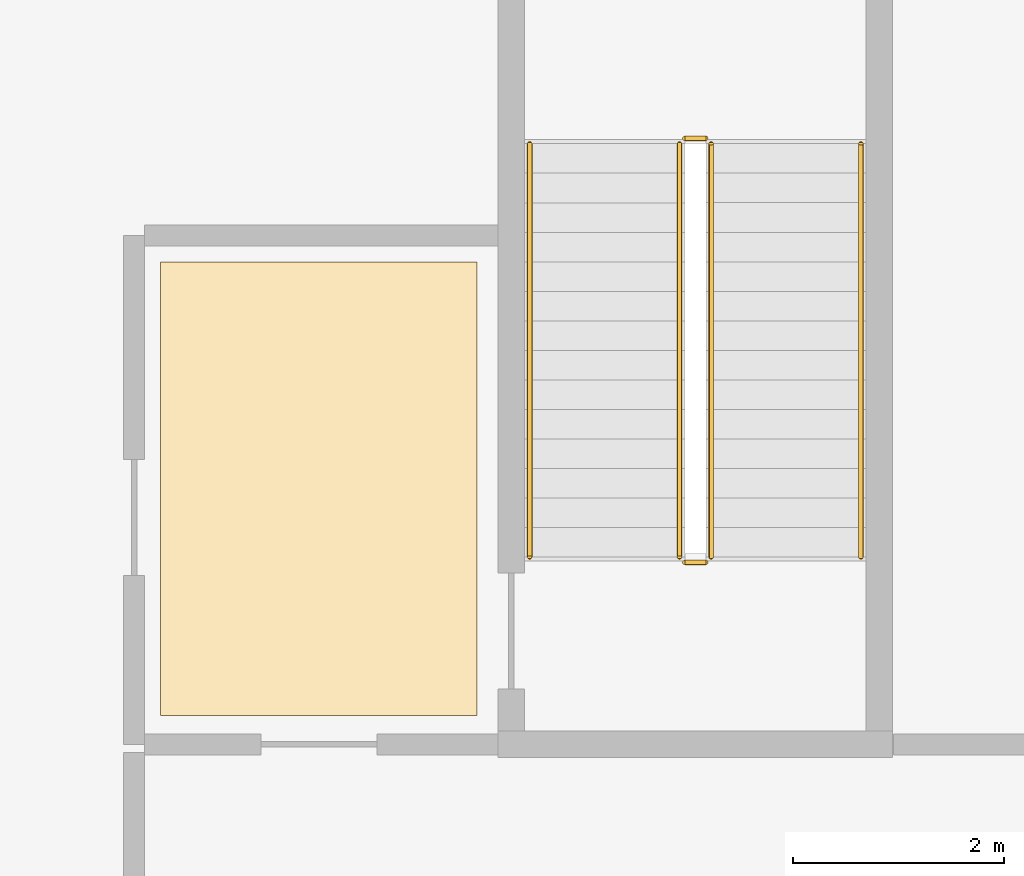
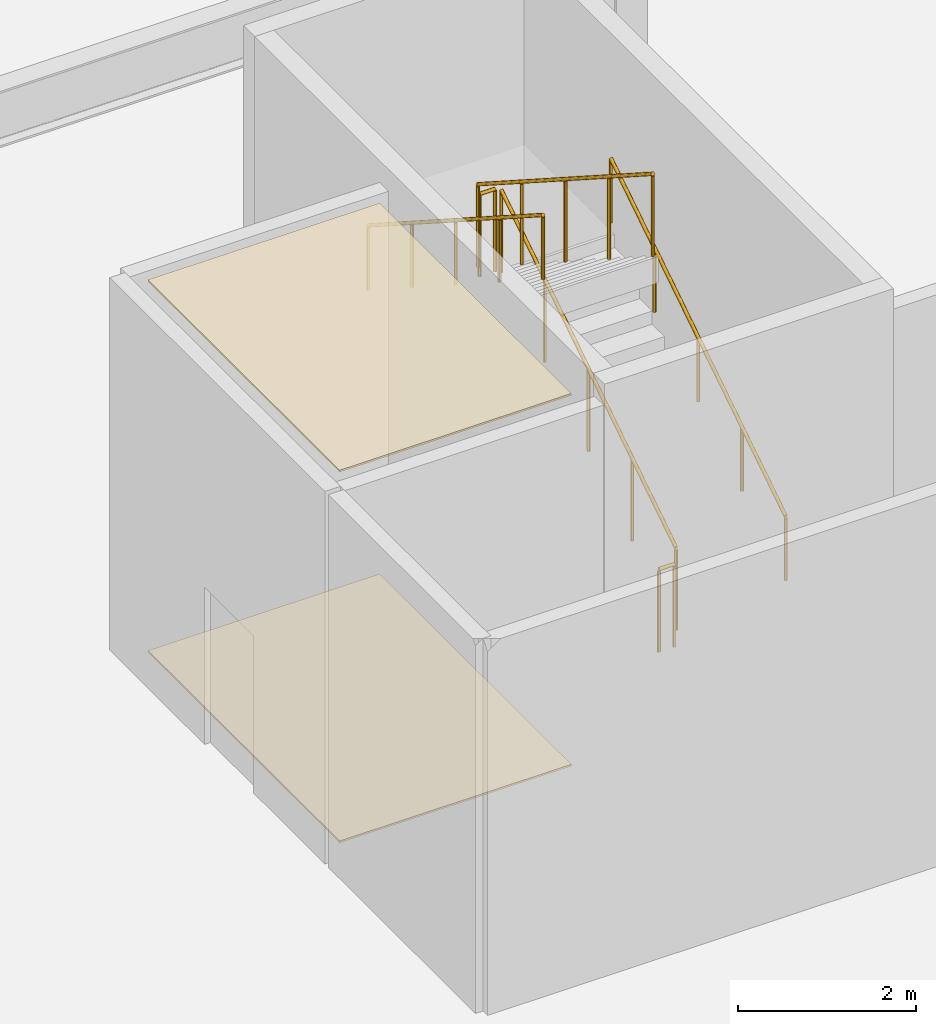
# One storey, part 36 of 46: 6 railings, 2 coverings.
"""IFC4 building model written with IfcOpenShell, lengths in metres."""

from ifc_helpers import new_model, si_unit, direction, frame, origin, origin_2d, place, context, subcontext, project, spatial, polyline, circle, outline, extrude, material, layer, layer_set, type_object, element, save


model = new_model("IFC4")

# Units and contexts
model_context = context("Model", 3, precision=1e-05, world=origin(), true_north=direction((0.0, 1.0)))
body_context = subcontext(model_context, "Body", "Model", "MODEL_VIEW")
ifc_project = project(units=[si_unit("LENGTHUNIT", "METRE"), si_unit("AREAUNIT", "SQUARE_METRE"), si_unit("VOLUMEUNIT", "CUBIC_METRE"), si_unit("PLANEANGLEUNIT", "RADIAN"), si_unit("MASSUNIT", "GRAM", prefix="KILO")], contexts=[model_context])

# Site, building, storey
site_placement = place(None, origin())
site = spatial("IfcSite", under=ifc_project, at=site_placement, CompositionType="ELEMENT")
building_placement = place(site_placement, origin())
building = spatial("IfcBuilding", under=site, at=building_placement, Name="Korimba Cascade Residences", CompositionType="ELEMENT")
storey_placement = place(building_placement, origin())
storey = spatial("IfcBuildingStorey", under=building, at=storey_placement, Name="L00", CompositionType="ELEMENT", Elevation=0.0)

# Coverings
ifc_material_1 = material(Name="Perforated Acoustic Gypsum Ceiling", Category="gypsum")
ifc_layer_1 = layer(ifc_material_1, 0.02490234375)
ifc_layer_set_1 = layer_set([ifc_layer_1], Name="Perforated Acoustic Gypsum Ceiling")
covering_type_1 = type_object("IfcCoveringType", Name="COV-CLG-AC", PredefinedType="CEILING", material=ifc_layer_set_1)
covering_1_placement = place(storey_placement, frame((0.0, 0.0, 5.074951171875)))
element("IfcCovering", 1, at=covering_1_placement, inside=storey, type_object=covering_type_1, Name="L00 Suspended Acoustic Ceiling L00-PL6", PredefinedType="CEILING", context=body_context, shape_type="SweptSolid", body=[
    extrude(outline(polyline([(131.050048828125, -12.64990234375), (134.050048828125, -12.64990234375), (134.050048828125, -8.35009765625), (131.050048828125, -8.35009765625), (131.050048828125, -12.64990234375)])), origin(), (0.0, 0.0, 1.0), 0.025146484375),
])
ifc_material_2 = material(Name="Honed Travertine Stone Flooring", Category="masonry")
ifc_layer_2 = layer(ifc_material_2, 0.02490234375)
ifc_layer_set_2 = layer_set([ifc_layer_2], Name="Honed Travertine Stone Flooring")
covering_type_2 = type_object("IfcCoveringType", Name="COV-FLR-STN", PredefinedType="FLOORING", material=ifc_layer_set_2)
covering_2_placement = place(storey_placement, origin())
element("IfcCovering", 2, at=covering_2_placement, inside=storey, type_object=covering_type_2, Name="L00 Honed Travertine Stone Flooring L00-PL6", PredefinedType="FLOORING", context=body_context, shape_type="SweptSolid", body=[
    extrude(outline(polyline([(131.050048828125, -12.64990234375), (134.050048828125, -12.64990234375), (134.050048828125, -8.35009765625), (131.050048828125, -8.35009765625), (131.050048828125, -12.64990234375)])), origin(), (0.0, 0.0, 1.0), 0.02490234375),
])

# Railings
ifc_material_3 = material(Name="Painted Steel Stairwell Guardrail", Category="steel")
railing_type_1 = type_object("IfcRailingType", Name="RLG-ST-GD1150", PredefinedType="GUARDRAIL", material=ifc_material_3)
railing_1_placement = place(storey_placement, frame((136.27001953125, -11.14990234375, 0.179931640625)))
element("IfcRailing", 3, at=railing_1_placement, inside=storey, type_object=railing_type_1, Name="L00 ST-P6 stair guard 1", PredefinedType="GUARDRAIL", context=body_context, shape_type="SweptSolid", body=[
    extrude(circle(Radius=0.02392578125, at=origin_2d()), frame((0.0, 0.0, 1.1259765625), z_axis=(0.0, 0.841171666519, 0.540768182723), x_axis=(-1.0, 0.0, 0.0)), (0.0, 0.0, 1.0), 4.66015625),
    extrude(circle(Radius=0.02099609375, at=origin_2d()), origin(), (0.0, 0.0, 1.0), 1.101806640625),
    extrude(circle(Radius=0.02099609375, at=origin_2d()), frame((0.0, 0.97998046875, 0.6298828125)), (0.0, 0.0, 1.0), 1.101806640625),
    extrude(circle(Radius=0.02099609375, at=origin_2d()), frame((0.0, 1.9599609375, 1.260009765625)), (0.0, 0.0, 1.0), 1.101806640625),
    extrude(circle(Radius=0.02099609375, at=origin_2d()), frame((0.0, 2.93994140625, 1.89013671875)), (0.0, 0.0, 1.0), 1.101806640625),
    extrude(circle(Radius=0.02099609375, at=origin_2d()), frame((0.0, 3.919921875, 2.52001953125)), (0.0, 0.0, 1.0), 1.101806640625),
])
railing_2_placement = place(storey_placement, frame((136.219970703125, -7.179931640625, 2.699951171875)))
element("IfcRailing", 4, at=railing_2_placement, inside=storey, type_object=railing_type_1, Name="L00 ST-P6 stair guard 2", PredefinedType="GUARDRAIL", context=body_context, shape_type="SweptSolid", body=[
    extrude(circle(Radius=0.02392578125, at=origin_2d()), frame((0.0, 0.0, 1.1259765625), z_axis=(-1.0, 0.0, 0.0), x_axis=(0.0, -1.0, 0.0)), (0.0, 0.0, 1.0), 0.199951171875),
    extrude(circle(Radius=0.02099609375, at=origin_2d()), origin(), (0.0, 0.0, 1.0), 1.101806640625),
    extrude(circle(Radius=0.02099609375, at=origin_2d()), frame((-0.199951171875, 0.0, 0.0)), (0.0, 0.0, 1.0), 1.101806640625),
])
railing_3_placement = place(storey_placement, frame((135.969970703125, -7.22998046875, 2.8798828125)))
element("IfcRailing", 5, at=railing_3_placement, inside=storey, type_object=railing_type_1, Name="L00 ST-P6 stair guard 3", PredefinedType="GUARDRAIL", context=body_context, shape_type="SweptSolid", body=[
    extrude(circle(Radius=0.02392578125, at=origin_2d()), frame((0.0, 0.0, 1.1259765625), z_axis=(0.0, -0.841171666519, 0.540768182723), x_axis=(1.0, 0.0, 0.0)), (0.0, 0.0, 1.0), 4.66015625),
    extrude(circle(Radius=0.02099609375, at=origin_2d()), origin(), (0.0, 0.0, 1.0), 1.101806640625),
    extrude(circle(Radius=0.02099609375, at=origin_2d()), frame((0.0, -0.97998046875, 0.6298828125)), (0.0, 0.0, 1.0), 1.101806640625),
    extrude(circle(Radius=0.02099609375, at=origin_2d()), frame((0.0, -1.9599609375, 1.260009765625)), (0.0, 0.0, 1.0), 1.101806640625),
    extrude(circle(Radius=0.02099609375, at=origin_2d()), frame((0.0, -2.93994140625, 1.89013671875)), (0.0, 0.0, 1.0), 1.101806640625),
    extrude(circle(Radius=0.02099609375, at=origin_2d()), frame((0.0, -3.919921875, 2.52001953125)), (0.0, 0.0, 1.0), 1.101806640625),
])
railing_4_placement = place(storey_placement, frame((136.219970703125, -11.199951171875, 0.0)))
element("IfcRailing", 6, at=railing_4_placement, inside=storey, type_object=railing_type_1, Name="L00 ST-P6 stair guard 4", PredefinedType="GUARDRAIL", context=body_context, shape_type="SweptSolid", body=[
    extrude(circle(Radius=0.02392578125, at=origin_2d()), frame((0.0, 0.0, 1.1259765625), z_axis=(-1.0, 0.0, 0.0), x_axis=(0.0, -1.0, 0.0)), (0.0, 0.0, 1.0), 0.199951171875),
    extrude(circle(Radius=0.02099609375, at=origin_2d()), origin(), (0.0, 0.0, 1.0), 1.101806640625),
    extrude(circle(Radius=0.02099609375, at=origin_2d()), frame((-0.199951171875, 0.0, 0.0)), (0.0, 0.0, 1.0), 1.101806640625),
])
ifc_material_4 = material(Name="Brushed Stainless Steel Handrail", Category="steel")
railing_type_2 = type_object("IfcRailingType", Name="RLG-ST-HR900", PredefinedType="HANDRAIL", material=ifc_material_4)
railing_5_placement = place(storey_placement, frame((137.68994140625, -11.14990234375, 0.36376953125)))
element("IfcRailing", 7, at=railing_5_placement, inside=storey, type_object=railing_type_2, Name="L00 ST-P6 stair handrail 1", PredefinedType="HANDRAIL", context=body_context, shape_type="SweptSolid", body=[
    extrude(circle(Radius=0.02392578125, at=origin_2d()), frame((0.0, 0.0, 0.8759765625), z_axis=(0.0, 0.841171666519, 0.540768182723), x_axis=(-1.0, 0.0, 0.0)), (0.0, 0.0, 1.0), 4.66015625),
    extrude(circle(Radius=0.02099609375, at=origin_2d()), origin(), (0.0, 0.0, 1.0), 0.851806640625),
    extrude(circle(Radius=0.02099609375, at=origin_2d()), frame((0.0, 0.97998046875, 0.6298828125)), (0.0, 0.0, 1.0), 0.851806640625),
    extrude(circle(Radius=0.02099609375, at=origin_2d()), frame((0.0, 1.9599609375, 1.260009765625)), (0.0, 0.0, 1.0), 0.851806640625),
    extrude(circle(Radius=0.02099609375, at=origin_2d()), frame((0.0, 2.93994140625, 1.89013671875)), (0.0, 0.0, 1.0), 0.851806640625),
    extrude(circle(Radius=0.02099609375, at=origin_2d()), frame((0.0, 3.919921875, 2.52001953125)), (0.0, 0.0, 1.0), 0.851806640625),
])
railing_6_placement = place(storey_placement, frame((134.550048828125, -7.22998046875, 3.063720703125)))
element("IfcRailing", 8, at=railing_6_placement, inside=storey, type_object=railing_type_2, Name="L00 ST-P6 stair handrail 2", PredefinedType="HANDRAIL", context=body_context, shape_type="SweptSolid", body=[
    extrude(circle(Radius=0.02392578125, at=origin_2d()), frame((0.0, 0.0, 0.8759765625), z_axis=(0.0, -0.841171666519, 0.540768182723), x_axis=(1.0, 0.0, 0.0)), (0.0, 0.0, 1.0), 4.66015625),
    extrude(circle(Radius=0.02099609375, at=origin_2d()), origin(), (0.0, 0.0, 1.0), 0.851806640625),
    extrude(circle(Radius=0.02099609375, at=origin_2d()), frame((0.0, -0.97998046875, 0.6298828125)), (0.0, 0.0, 1.0), 0.851806640625),
    extrude(circle(Radius=0.02099609375, at=origin_2d()), frame((0.0, -1.9599609375, 1.260009765625)), (0.0, 0.0, 1.0), 0.851806640625),
    extrude(circle(Radius=0.02099609375, at=origin_2d()), frame((0.0, -2.93994140625, 1.89013671875)), (0.0, 0.0, 1.0), 0.851806640625),
    extrude(circle(Radius=0.02099609375, at=origin_2d()), frame((0.0, -3.919921875, 2.52001953125)), (0.0, 0.0, 1.0), 0.851806640625),
])

save(model, "model.ifc")
